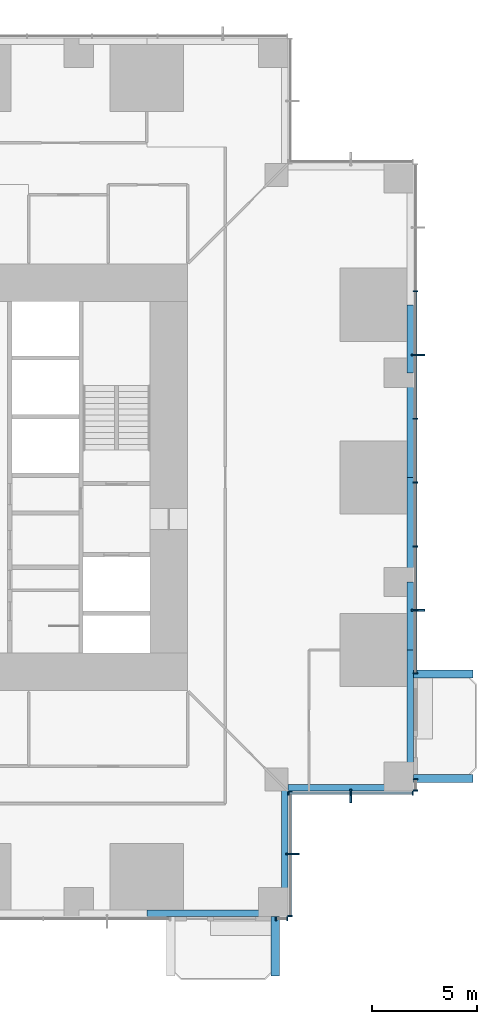
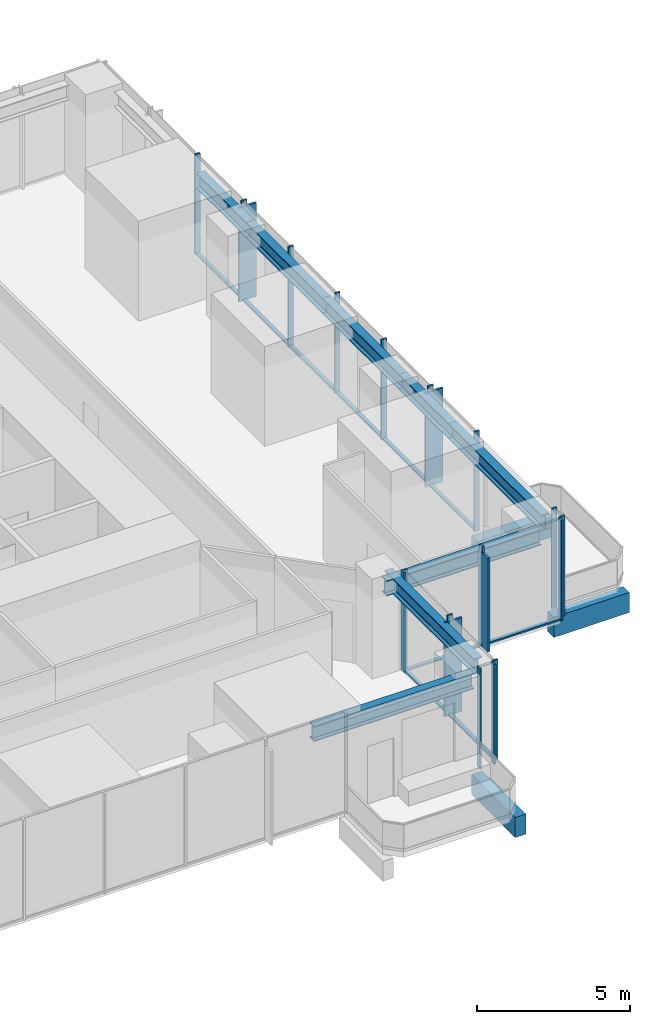
# One storey, part 4 of 15: 31 members, 11 beams, 5 elements without a shape of their own.
"""IFC4 building model written with IfcOpenShell, lengths in metres."""

from ifc_helpers import new_model, si_unit, direction, frame, origin, origin_2d, place, context, subcontext, project, spatial, rectangle, i_section, extrude, material, material_profile, profile_set, type_object, element, aggregate, save


model = new_model("IFC4")

# Units and contexts
model_context = context("Model", 3, precision=1e-05, world=origin(), true_north=direction((0.0, 1.0)))
body_context = subcontext(model_context, "Body", "Model", "MODEL_VIEW")
ifc_project = project(units=[si_unit("LENGTHUNIT", "METRE"), si_unit("AREAUNIT", "SQUARE_METRE"), si_unit("VOLUMEUNIT", "CUBIC_METRE"), si_unit("PLANEANGLEUNIT", "RADIAN"), si_unit("MASSUNIT", "GRAM", prefix="KILO")], contexts=[model_context])

# Site, building, storey
site_placement = place(None, origin())
site = spatial("IfcSite", under=ifc_project, at=site_placement, CompositionType="ELEMENT")
building_placement = place(site_placement, origin())
building = spatial("IfcBuilding", under=site, at=building_placement, Name="Svetlomir Tower", CompositionType="ELEMENT")
storey_placement = place(building_placement, frame((0.0, 0.0, 34.5)))
storey = spatial("IfcBuildingStorey", under=building, at=storey_placement, Name="L07", CompositionType="ELEMENT", Elevation=34.5)

# Beams
ifc_material_1 = material(Name="Concrete C60/75", Category="concrete")
ifc_material_profile_1 = material_profile(ifc_material_1, rectangle(XDim=0.39990234375, YDim=0.800048828125, at=origin_2d()), Name="RC 400x800")
ifc_profile_set_1 = profile_set([ifc_material_profile_1], Name="Concrete C60/75")
beam_type_1 = type_object("IfcBeamType", Name="BALCONY RIB RC 400x800", PredefinedType="BEAM", material=ifc_profile_set_1)
for number, where, z_axis, x_axis, name in (
    (1, (35.39990234375, 0.0, -0.64990234375), (0.0, -1.0, 0.0), (1.0, 0.0, 0.0), "Balcony rib S 2 L07"),
    (2, (42.0, 6.60009765625, -0.64990234375), (1.0, 0.0, 0.0), (0.0, 1.0, 0.0), "Balcony rib E 1 L07"),
    (3, (42.0, 11.60009765625, -0.64990234375), (1.0, 0.0, 0.0), (0.0, 1.0, 0.0), "Balcony rib E 2 L07"),
):
    element("IfcBeam", number, at=place(storey_placement, frame(where, z_axis=z_axis, x_axis=x_axis)), inside=storey, type_object=beam_type_1, Name=name, PredefinedType="BEAM", context=body_context, shape_type="SweptSolid", body=[
        extrude(rectangle(XDim=0.39990234375, YDim=0.800048828125, at=origin_2d()), origin(), (0.0, 0.0, 1.0), 2.85009765625),
    ])

# Curtain wall, member
ifc_material_2 = material(Name="Bronze anodised aluminium curtain wall", Category="aluminium")
curtain_wall_type = type_object("IfcCurtainWallType", Name="CURTAIN WALL CW1 TOWER OFFICE", PredefinedType="NOTDEFINED", material=ifc_material_2)
curtain_wall_1_placement = place(storey_placement, origin())
curtain_wall_1 = element("IfcCurtainWall", 4, at=curtain_wall_1_placement, inside=storey, type_object=curtain_wall_type, Name="Curtain wall CW1 L07", PredefinedType="NOTDEFINED")
ifc_material_3 = material(Name="Bronze anodised aluminium", Category="aluminium")
ifc_material_profile_2 = material_profile(ifc_material_3, rectangle(XDim=0.080078125, YDim=0.64990234375, at=origin_2d()), Name="FIN 80x650")
ifc_profile_set_2 = profile_set([ifc_material_profile_2], Name="Bronze anodised aluminium 6063-T6")
member_type_1 = type_object("IfcMemberType", Name="BRONZE FIN 80x650", PredefinedType="USERDEFINED", material=ifc_profile_set_2)
member_1_placement = place(storey_placement, frame((36.22509765625, 3.0, 0.0), z_axis=(0.0, 0.0, 1.0), x_axis=(0.0, 1.0, 0.0)))
member_1 = element("IfcMember", 5, at=member_1_placement, type_object=member_type_1, Name="Bronze fin L07", ObjectType="FIN", PredefinedType="USERDEFINED", context=body_context, shape_type="SweptSolid", body=[
    extrude(rectangle(XDim=0.080078125, YDim=0.64990234375, at=origin_2d()), origin(), (0.0, 0.0, 1.0), 3.75),
])

curtain_wall_2_placement = place(storey_placement, origin())
curtain_wall_2 = element("IfcCurtainWall", 6, at=curtain_wall_2_placement, inside=storey, type_object=curtain_wall_type, Name="Curtain wall CW1 L07", PredefinedType="NOTDEFINED")
member_2_placement = place(storey_placement, frame((39.0, 5.77490234375, 0.0), z_axis=(0.0, 0.0, 1.0), x_axis=(1.0, 0.0, 0.0)))
member_2 = element("IfcMember", 7, at=member_2_placement, type_object=member_type_1, Name="Bronze fin L07", ObjectType="FIN", PredefinedType="USERDEFINED", context=body_context, shape_type="SweptSolid", body=[
    extrude(rectangle(XDim=0.080078125, YDim=0.64990234375, at=origin_2d()), origin(), (0.0, 0.0, 1.0), 3.75),
])

# Curtain wall, members
curtain_wall_3_placement = place(storey_placement, origin())
curtain_wall_3 = element("IfcCurtainWall", 8, at=curtain_wall_3_placement, inside=storey, type_object=curtain_wall_type, Name="Curtain wall CW1 L07", PredefinedType="NOTDEFINED")
member_3_placement = place(storey_placement, frame((42.22509765625, 14.64990234375, 0.0), z_axis=(0.0, 0.0, 1.0), x_axis=(0.0, 1.0, 0.0)))
member_3 = element("IfcMember", 9, at=member_3_placement, type_object=member_type_1, Name="Bronze fin L07", ObjectType="FIN", PredefinedType="USERDEFINED", context=body_context, shape_type="SweptSolid", body=[
    extrude(rectangle(XDim=0.080078125, YDim=0.64990234375, at=origin_2d()), origin(), (0.0, 0.0, 1.0), 3.75),
])
member_4_placement = place(storey_placement, frame((42.22509765625, 26.85009765625, 0.0), z_axis=(0.0, 0.0, 1.0), x_axis=(0.0, 1.0, 0.0)))
member_4 = element("IfcMember", 10, at=member_4_placement, type_object=member_type_1, Name="Bronze fin L07", ObjectType="FIN", PredefinedType="USERDEFINED", context=body_context, shape_type="SweptSolid", body=[
    extrude(rectangle(XDim=0.080078125, YDim=0.64990234375, at=origin_2d()), origin(), (0.0, 0.0, 1.0), 3.75),
])

curtain_wall_4_placement = place(storey_placement, origin())
curtain_wall_4 = element("IfcCurtainWall", 11, at=curtain_wall_4_placement, inside=storey, type_object=curtain_wall_type, Name="Curtain wall CW1 L07", PredefinedType="NOTDEFINED")
ifc_material_4 = material(Name="Bronze anodised aluminium", Category="aluminium")
ifc_material_profile_3 = material_profile(ifc_material_4, rectangle(XDim=0.06494140625, YDim=0.199951171875, at=origin_2d()), Name="AL 65x200")
ifc_profile_set_3 = profile_set([ifc_material_profile_3], Name="Bronze anodised aluminium 6063-T6")
member_type_2 = type_object("IfcMemberType", Name="CW1 MULLION 65x200", PredefinedType="MULLION", material=ifc_profile_set_3)
member_5_placement = place(storey_placement, frame((35.4326171875, -0.10009765625, 0.0), z_axis=(0.0, 0.0, 1.0), x_axis=(1.0, 0.0, 0.0)))
member_5 = element("IfcMember", 12, at=member_5_placement, type_object=member_type_2, Name="CW1 mullion 1", PredefinedType="MULLION", context=body_context, shape_type="SweptSolid", body=[
    extrude(rectangle(XDim=0.06494140625, YDim=0.199951171875, at=origin_2d()), origin(), (0.0, 0.0, 1.0), 4.0),
])
member_6_placement = place(storey_placement, frame((35.967529296875, -0.10009765625, 0.0), z_axis=(0.0, 0.0, 1.0), x_axis=(1.0, 0.0, 0.0)))
member_6 = element("IfcMember", 13, at=member_6_placement, type_object=member_type_2, Name="CW1 mullion 2", PredefinedType="MULLION", context=body_context, shape_type="SweptSolid", body=[
    extrude(rectangle(XDim=0.06494140625, YDim=0.199951171875, at=origin_2d()), origin(), (0.0, 0.0, 1.0), 4.0),
])
aggregate(curtain_wall_4, [member_5, member_6])

# Member
member_7_placement = place(storey_placement, frame((36.10009765625, 0.032470703125, 0.0), z_axis=(0.0, 0.0, 1.0), x_axis=(0.0, 1.0, 0.0)))
member_7 = element("IfcMember", 14, at=member_7_placement, type_object=member_type_2, Name="CW1 mullion 1", PredefinedType="MULLION", context=body_context, shape_type="SweptSolid", body=[
    extrude(rectangle(XDim=0.06494140625, YDim=0.199951171875, at=origin_2d()), origin(), (0.0, 0.0, 1.0), 4.0),
])

member_8_placement = place(storey_placement, frame((36.10009765625, 3.0, 0.0), z_axis=(0.0, 0.0, 1.0), x_axis=(0.0, 1.0, 0.0)))
member_8 = element("IfcMember", 15, at=member_8_placement, type_object=member_type_2, Name="CW1 mullion 2", PredefinedType="MULLION", context=body_context, shape_type="SweptSolid", body=[
    extrude(rectangle(XDim=0.06494140625, YDim=0.199951171875, at=origin_2d()), origin(), (0.0, 0.0, 1.0), 4.0),
])

member_9_placement = place(storey_placement, frame((36.10009765625, 5.967529296875, 0.0), z_axis=(0.0, 0.0, 1.0), x_axis=(0.0, 1.0, 0.0)))
member_9 = element("IfcMember", 16, at=member_9_placement, type_object=member_type_2, Name="CW1 mullion 3", PredefinedType="MULLION", context=body_context, shape_type="SweptSolid", body=[
    extrude(rectangle(XDim=0.06494140625, YDim=0.199951171875, at=origin_2d()), origin(), (0.0, 0.0, 1.0), 4.0),
])

member_10_placement = place(storey_placement, frame((36.032470703125, 5.89990234375, 0.0), z_axis=(0.0, 0.0, 1.0), x_axis=(1.0, 0.0, 0.0)))
member_10 = element("IfcMember", 17, at=member_10_placement, type_object=member_type_2, Name="CW1 mullion 1", PredefinedType="MULLION", context=body_context, shape_type="SweptSolid", body=[
    extrude(rectangle(XDim=0.06494140625, YDim=0.199951171875, at=origin_2d()), origin(), (0.0, 0.0, 1.0), 4.0),
])

member_11_placement = place(storey_placement, frame((39.0, 5.89990234375, 0.0), z_axis=(0.0, 0.0, 1.0), x_axis=(1.0, 0.0, 0.0)))
member_11 = element("IfcMember", 18, at=member_11_placement, type_object=member_type_2, Name="CW1 mullion 2", PredefinedType="MULLION", context=body_context, shape_type="SweptSolid", body=[
    extrude(rectangle(XDim=0.06494140625, YDim=0.199951171875, at=origin_2d()), origin(), (0.0, 0.0, 1.0), 4.0),
])

member_12_placement = place(storey_placement, frame((41.967529296875, 5.89990234375, 0.0), z_axis=(0.0, 0.0, 1.0), x_axis=(1.0, 0.0, 0.0)))
member_12 = element("IfcMember", 19, at=member_12_placement, type_object=member_type_2, Name="CW1 mullion 3", PredefinedType="MULLION", context=body_context, shape_type="SweptSolid", body=[
    extrude(rectangle(XDim=0.06494140625, YDim=0.199951171875, at=origin_2d()), origin(), (0.0, 0.0, 1.0), 4.0),
])

# Curtain wall, members
curtain_wall_5_placement = place(storey_placement, origin())
curtain_wall_5 = element("IfcCurtainWall", 20, at=curtain_wall_5_placement, inside=storey, type_object=curtain_wall_type, Name="Curtain wall CW1 L07", PredefinedType="NOTDEFINED")
member_13_placement = place(storey_placement, frame((42.10009765625, 6.032470703125, 0.0), z_axis=(0.0, 0.0, 1.0), x_axis=(0.0, 1.0, 0.0)))
member_13 = element("IfcMember", 21, at=member_13_placement, type_object=member_type_2, Name="CW1 mullion 1", PredefinedType="MULLION", context=body_context, shape_type="SweptSolid", body=[
    extrude(rectangle(XDim=0.06494140625, YDim=0.199951171875, at=origin_2d()), origin(), (0.0, 0.0, 1.0), 4.0),
])
member_14_placement = place(storey_placement, frame((42.10009765625, 6.5673828125, 0.0), z_axis=(0.0, 0.0, 1.0), x_axis=(0.0, 1.0, 0.0)))
member_14 = element("IfcMember", 22, at=member_14_placement, type_object=member_type_2, Name="CW1 mullion 2", PredefinedType="MULLION", context=body_context, shape_type="SweptSolid", body=[
    extrude(rectangle(XDim=0.06494140625, YDim=0.199951171875, at=origin_2d()), origin(), (0.0, 0.0, 1.0), 4.0),
])
aggregate(curtain_wall_5, [member_13, member_14])

# Member
member_15_placement = place(storey_placement, frame((42.10009765625, 11.632568359375, 0.0), z_axis=(0.0, 0.0, 1.0), x_axis=(0.0, 1.0, 0.0)))
member_15 = element("IfcMember", 23, at=member_15_placement, type_object=member_type_2, Name="CW1 mullion 1", PredefinedType="MULLION", context=body_context, shape_type="SweptSolid", body=[
    extrude(rectangle(XDim=0.06494140625, YDim=0.199951171875, at=origin_2d()), origin(), (0.0, 0.0, 1.0), 4.0),
])

member_16_placement = place(storey_placement, frame((42.10009765625, 14.64990234375, 0.0), z_axis=(0.0, 0.0, 1.0), x_axis=(0.0, 1.0, 0.0)))
member_16 = element("IfcMember", 24, at=member_16_placement, type_object=member_type_2, Name="CW1 mullion 2", PredefinedType="MULLION", context=body_context, shape_type="SweptSolid", body=[
    extrude(rectangle(XDim=0.06494140625, YDim=0.199951171875, at=origin_2d()), origin(), (0.0, 0.0, 1.0), 4.0),
])

member_17_placement = place(storey_placement, frame((42.10009765625, 17.699951171875, 0.0), z_axis=(0.0, 0.0, 1.0), x_axis=(0.0, 1.0, 0.0)))
member_17 = element("IfcMember", 25, at=member_17_placement, type_object=member_type_2, Name="CW1 mullion 3", PredefinedType="MULLION", context=body_context, shape_type="SweptSolid", body=[
    extrude(rectangle(XDim=0.06494140625, YDim=0.199951171875, at=origin_2d()), origin(), (0.0, 0.0, 1.0), 4.0),
])

member_18_placement = place(storey_placement, frame((42.10009765625, 20.75, 0.0), z_axis=(0.0, 0.0, 1.0), x_axis=(0.0, 1.0, 0.0)))
member_18 = element("IfcMember", 26, at=member_18_placement, type_object=member_type_2, Name="CW1 mullion 4", PredefinedType="MULLION", context=body_context, shape_type="SweptSolid", body=[
    extrude(rectangle(XDim=0.06494140625, YDim=0.199951171875, at=origin_2d()), origin(), (0.0, 0.0, 1.0), 4.0),
])

member_19_placement = place(storey_placement, frame((42.10009765625, 23.800048828125, 0.0), z_axis=(0.0, 0.0, 1.0), x_axis=(0.0, 1.0, 0.0)))
member_19 = element("IfcMember", 27, at=member_19_placement, type_object=member_type_2, Name="CW1 mullion 5", PredefinedType="MULLION", context=body_context, shape_type="SweptSolid", body=[
    extrude(rectangle(XDim=0.06494140625, YDim=0.199951171875, at=origin_2d()), origin(), (0.0, 0.0, 1.0), 4.0),
])

member_20_placement = place(storey_placement, frame((42.10009765625, 26.85009765625, 0.0), z_axis=(0.0, 0.0, 1.0), x_axis=(0.0, 1.0, 0.0)))
member_20 = element("IfcMember", 28, at=member_20_placement, type_object=member_type_2, Name="CW1 mullion 6", PredefinedType="MULLION", context=body_context, shape_type="SweptSolid", body=[
    extrude(rectangle(XDim=0.06494140625, YDim=0.199951171875, at=origin_2d()), origin(), (0.0, 0.0, 1.0), 4.0),
])

member_21_placement = place(storey_placement, frame((42.10009765625, 29.89990234375, 0.0), z_axis=(0.0, 0.0, 1.0), x_axis=(0.0, 1.0, 0.0)))
member_21 = element("IfcMember", 29, at=member_21_placement, type_object=member_type_2, Name="CW1 mullion 7", PredefinedType="MULLION", context=body_context, shape_type="SweptSolid", body=[
    extrude(rectangle(XDim=0.06494140625, YDim=0.199951171875, at=origin_2d()), origin(), (0.0, 0.0, 1.0), 4.0),
])

ifc_material_5 = material(Name="Bronze anodised aluminium", Category="aluminium")
ifc_material_profile_4 = material_profile(ifc_material_5, rectangle(XDim=0.139892578125, YDim=0.06494140625, at=origin_2d()), Name="AL 140x65")
ifc_profile_set_4 = profile_set([ifc_material_profile_4], Name="Bronze anodised aluminium 6063-T6")
member_type_3 = type_object("IfcMemberType", Name="CW1 TRANSOM 65x140", PredefinedType="USERDEFINED", material=ifc_profile_set_4)
member_22_placement = place(storey_placement, frame((36.10009765625, 0.06494140625, 0.032470703125), z_axis=(0.0, 1.0, 0.0), x_axis=(-1.0, 0.0, 0.0)))
member_22 = element("IfcMember", 30, at=member_22_placement, type_object=member_type_3, Name="CW1 transom 1.1", ObjectType="TRANSOM", PredefinedType="USERDEFINED", context=body_context, shape_type="SweptSolid", body=[
    extrude(rectangle(XDim=0.139892578125, YDim=0.06494140625, at=origin_2d()), origin(), (0.0, 0.0, 1.0), 2.902587890625),
])

member_23_placement = place(storey_placement, frame((36.10009765625, 3.032470703125, 0.032470703125), z_axis=(0.0, 1.0, 0.0), x_axis=(-1.0, 0.0, 0.0)))
member_23 = element("IfcMember", 31, at=member_23_placement, type_object=member_type_3, Name="CW1 transom 2.1", ObjectType="TRANSOM", PredefinedType="USERDEFINED", context=body_context, shape_type="SweptSolid", body=[
    extrude(rectangle(XDim=0.139892578125, YDim=0.06494140625, at=origin_2d()), origin(), (0.0, 0.0, 1.0), 2.902587890625),
])

aggregate(curtain_wall_1, [member_7, member_8, member_9, member_22, member_23, member_1])

member_24_placement = place(storey_placement, frame((36.06494140625, 5.89990234375, 0.032470703125), z_axis=(1.0, 0.0, 0.0), x_axis=(0.0, 1.0, 0.0)))
member_24 = element("IfcMember", 32, at=member_24_placement, type_object=member_type_3, Name="CW1 transom 1.1", ObjectType="TRANSOM", PredefinedType="USERDEFINED", context=body_context, shape_type="SweptSolid", body=[
    extrude(rectangle(XDim=0.139892578125, YDim=0.06494140625, at=origin_2d()), origin(), (0.0, 0.0, 1.0), 2.902587890625),
])

member_25_placement = place(storey_placement, frame((39.032470703125, 5.89990234375, 0.032470703125), z_axis=(1.0, 0.0, 0.0), x_axis=(0.0, 1.0, 0.0)))
member_25 = element("IfcMember", 33, at=member_25_placement, type_object=member_type_3, Name="CW1 transom 2.1", ObjectType="TRANSOM", PredefinedType="USERDEFINED", context=body_context, shape_type="SweptSolid", body=[
    extrude(rectangle(XDim=0.139892578125, YDim=0.06494140625, at=origin_2d()), origin(), (0.0, 0.0, 1.0), 2.902587890625),
])

aggregate(curtain_wall_2, [member_10, member_11, member_12, member_24, member_25, member_2])

member_26_placement = place(storey_placement, frame((42.10009765625, 11.6650390625, 0.032470703125), z_axis=(0.0, 1.0, 0.0), x_axis=(-1.0, 0.0, 0.0)))
member_26 = element("IfcMember", 34, at=member_26_placement, type_object=member_type_3, Name="CW1 transom 1.1", ObjectType="TRANSOM", PredefinedType="USERDEFINED", context=body_context, shape_type="SweptSolid", body=[
    extrude(rectangle(XDim=0.139892578125, YDim=0.06494140625, at=origin_2d()), origin(), (0.0, 0.0, 1.0), 2.952392578125),
])

member_27_placement = place(storey_placement, frame((42.10009765625, 14.6826171875, 0.032470703125), z_axis=(0.0, 1.0, 0.0), x_axis=(-1.0, 0.0, 0.0)))
member_27 = element("IfcMember", 35, at=member_27_placement, type_object=member_type_3, Name="CW1 transom 2.1", ObjectType="TRANSOM", PredefinedType="USERDEFINED", context=body_context, shape_type="SweptSolid", body=[
    extrude(rectangle(XDim=0.139892578125, YDim=0.06494140625, at=origin_2d()), origin(), (0.0, 0.0, 1.0), 2.98486328125),
])

member_28_placement = place(storey_placement, frame((42.10009765625, 17.732421875, 0.032470703125), z_axis=(0.0, 1.0, 0.0), x_axis=(-1.0, 0.0, 0.0)))
member_28 = element("IfcMember", 36, at=member_28_placement, type_object=member_type_3, Name="CW1 transom 3.1", ObjectType="TRANSOM", PredefinedType="USERDEFINED", context=body_context, shape_type="SweptSolid", body=[
    extrude(rectangle(XDim=0.139892578125, YDim=0.06494140625, at=origin_2d()), origin(), (0.0, 0.0, 1.0), 2.985107421875),
])

member_29_placement = place(storey_placement, frame((42.10009765625, 20.782470703125, 0.032470703125), z_axis=(0.0, 1.0, 0.0), x_axis=(-1.0, 0.0, 0.0)))
member_29 = element("IfcMember", 37, at=member_29_placement, type_object=member_type_3, Name="CW1 transom 4.1", ObjectType="TRANSOM", PredefinedType="USERDEFINED", context=body_context, shape_type="SweptSolid", body=[
    extrude(rectangle(XDim=0.139892578125, YDim=0.06494140625, at=origin_2d()), origin(), (0.0, 0.0, 1.0), 2.985107421875),
])

member_30_placement = place(storey_placement, frame((42.10009765625, 23.83251953125, 0.032470703125), z_axis=(0.0, 1.0, 0.0), x_axis=(-1.0, 0.0, 0.0)))
member_30 = element("IfcMember", 38, at=member_30_placement, type_object=member_type_3, Name="CW1 transom 5.1", ObjectType="TRANSOM", PredefinedType="USERDEFINED", context=body_context, shape_type="SweptSolid", body=[
    extrude(rectangle(XDim=0.139892578125, YDim=0.06494140625, at=origin_2d()), origin(), (0.0, 0.0, 1.0), 2.98486328125),
])

member_31_placement = place(storey_placement, frame((42.10009765625, 26.882568359375, 0.032470703125), z_axis=(0.0, 1.0, 0.0), x_axis=(-1.0, 0.0, 0.0)))
member_31 = element("IfcMember", 39, at=member_31_placement, type_object=member_type_3, Name="CW1 transom 6.1", ObjectType="TRANSOM", PredefinedType="USERDEFINED", context=body_context, shape_type="SweptSolid", body=[
    extrude(rectangle(XDim=0.139892578125, YDim=0.06494140625, at=origin_2d()), origin(), (0.0, 0.0, 1.0), 2.98486328125),
])

aggregate(curtain_wall_3, [member_15, member_16, member_17, member_18, member_19, member_20, member_21, member_26, member_27, member_28, member_29, member_30, member_31, member_3, member_4])

# Beams
ifc_material_6 = material(Name="Steel S355", Category="steel")
ifc_material_profile_5 = material_profile(ifc_material_6, i_section(OverallWidth=0.304931640625, OverallDepth=0.6201171875, WebThickness=0.02099609375, FlangeThickness=0.0400390625, FilletRadius=0.027099609375, at=origin_2d()), Name="HEM 600")
ifc_profile_set_5 = profile_set([ifc_material_profile_5], Name="Steel S355")
beam_type_2 = type_object("IfcBeamType", Name="EDGE BEAM HEM 600", PredefinedType="SPANDREL", material=ifc_profile_set_5)
beam_1_placement = place(storey_placement, frame((41.847412109375, 6.699951171875, 3.43994140625), z_axis=(0.0, 1.0, 0.0), x_axis=(-1.0, 0.0, 0.0)))
element("IfcBeam", 40, at=beam_1_placement, inside=storey, type_object=beam_type_2, Name="Edge beam 42/6 to 42/11 under L08", PredefinedType="SPANDREL", context=body_context, shape_type="SweptSolid", body=[
    extrude(i_section(OverallWidth=0.304931640625, OverallDepth=0.6201171875, WebThickness=0.02099609375, FlangeThickness=0.0400390625, FilletRadius=0.027099609375, at=origin_2d()), origin(), (0.0, 0.0, 1.0), 6.050048828125),
])
beam_2_placement = place(storey_placement, frame((41.847412109375, 12.75, 3.43994140625), z_axis=(0.0, 1.0, 0.0), x_axis=(-1.0, 0.0, 0.0)))
element("IfcBeam", 41, at=beam_2_placement, inside=storey, type_object=beam_type_2, Name="Edge beam 42/11 to 42/16 under L08", PredefinedType="SPANDREL", context=body_context, shape_type="SweptSolid", body=[
    extrude(i_section(OverallWidth=0.304931640625, OverallDepth=0.6201171875, WebThickness=0.02099609375, FlangeThickness=0.0400390625, FilletRadius=0.027099609375, at=origin_2d()), origin(), (0.0, 0.0, 1.0), 3.25),
])
for number, where, z_axis, x_axis, name in (
    (42, (41.847412109375, 16.0, 3.43994140625), (0.0, 1.0, 0.0), (-1.0, 0.0, 0.0), "Edge beam 42/16 to 42/21 under L08"),
    (43, (41.847412109375, 21.0, 3.43994140625), (0.0, 1.0, 0.0), (-1.0, 0.0, 0.0), "Edge beam 42/21 to 42/26 under L08"),
):
    element("IfcBeam", number, at=place(storey_placement, frame(where, z_axis=z_axis, x_axis=x_axis)), inside=storey, type_object=beam_type_2, Name=name, PredefinedType="SPANDREL", context=body_context, shape_type="SweptSolid", body=[
        extrude(i_section(OverallWidth=0.304931640625, OverallDepth=0.6201171875, WebThickness=0.02099609375, FlangeThickness=0.0400390625, FilletRadius=0.027099609375, at=origin_2d()), origin(), (0.0, 0.0, 1.0), 5.0),
    ])
beam_3_placement = place(storey_placement, frame((41.847412109375, 26.0, 3.43994140625), z_axis=(0.0, 1.0, 0.0), x_axis=(-1.0, 0.0, 0.0)))
element("IfcBeam", 44, at=beam_3_placement, inside=storey, type_object=beam_type_2, Name="Edge beam 42/26 to 42/31 under L08", PredefinedType="SPANDREL", context=body_context, shape_type="SweptSolid", body=[
    extrude(i_section(OverallWidth=0.304931640625, OverallDepth=0.6201171875, WebThickness=0.02099609375, FlangeThickness=0.0400390625, FilletRadius=0.027099609375, at=origin_2d()), origin(), (0.0, 0.0, 1.0), 3.25),
])
beam_4_placement = place(storey_placement, frame((29.25, 0.152587890625, 3.43994140625), z_axis=(1.0, 0.0, 0.0), x_axis=(0.0, 1.0, 0.0)))
element("IfcBeam", 45, at=beam_4_placement, inside=storey, type_object=beam_type_2, Name="Edge beam 31/0 to 36/0 under L08", PredefinedType="SPANDREL", context=body_context, shape_type="SweptSolid", body=[
    extrude(i_section(OverallWidth=0.304931640625, OverallDepth=0.6201171875, WebThickness=0.02099609375, FlangeThickness=0.0400390625, FilletRadius=0.027099609375, at=origin_2d()), origin(), (0.0, 0.0, 1.0), 6.050048828125),
])
for number, where, z_axis, x_axis, name in (
    (46, (35.847412109375, 0.699951171875, 3.43994140625), (0.0, 1.0, 0.0), (-1.0, 0.0, 0.0), "Edge beam 36/0 to 36/6 under L08"),
    (47, (41.300048828125, 6.152587890625, 3.43994140625), (-1.0, 0.0, 0.0), (0.0, -1.0, 0.0), "Edge beam 42/6 to 36/6 under L08"),
):
    element("IfcBeam", number, at=place(storey_placement, frame(where, z_axis=z_axis, x_axis=x_axis)), inside=storey, type_object=beam_type_2, Name=name, PredefinedType="SPANDREL", context=body_context, shape_type="SweptSolid", body=[
        extrude(i_section(OverallWidth=0.304931640625, OverallDepth=0.6201171875, WebThickness=0.02099609375, FlangeThickness=0.0400390625, FilletRadius=0.027099609375, at=origin_2d()), origin(), (0.0, 0.0, 1.0), 5.85009765625),
    ])

save(model, "model.ifc")
